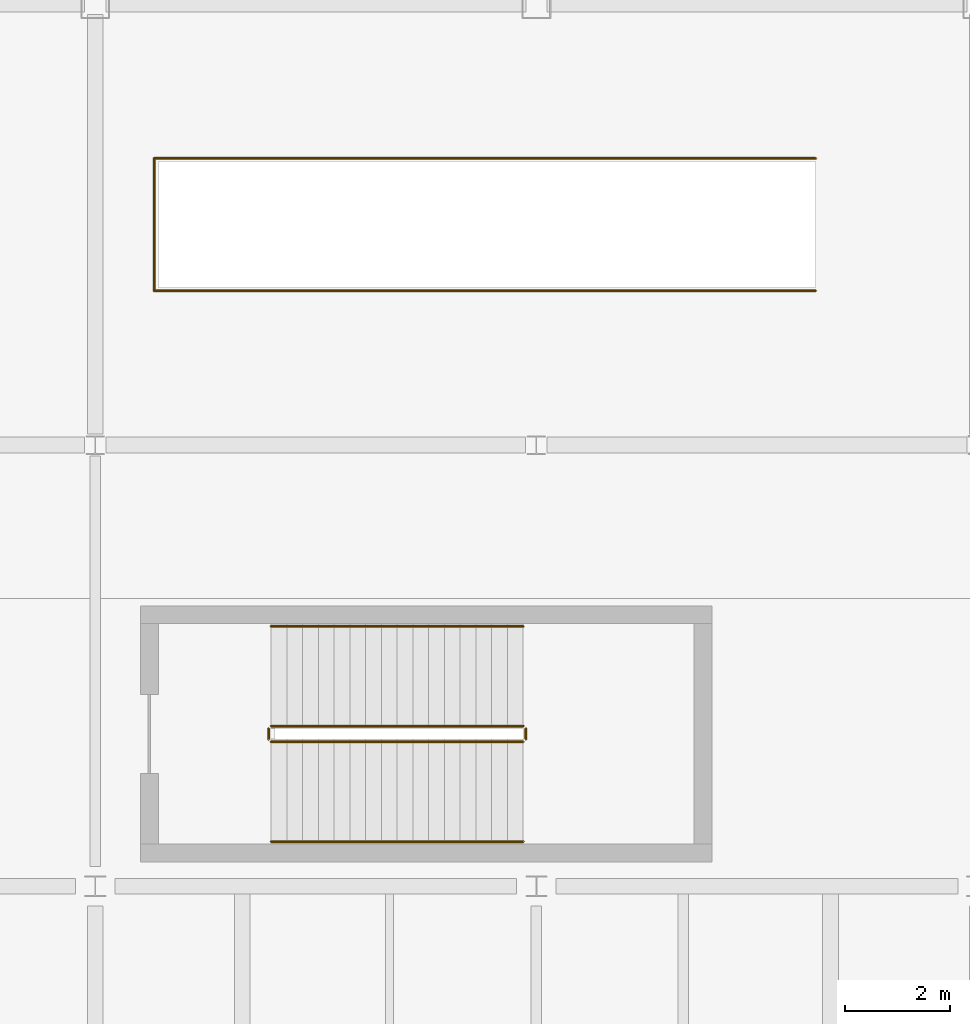
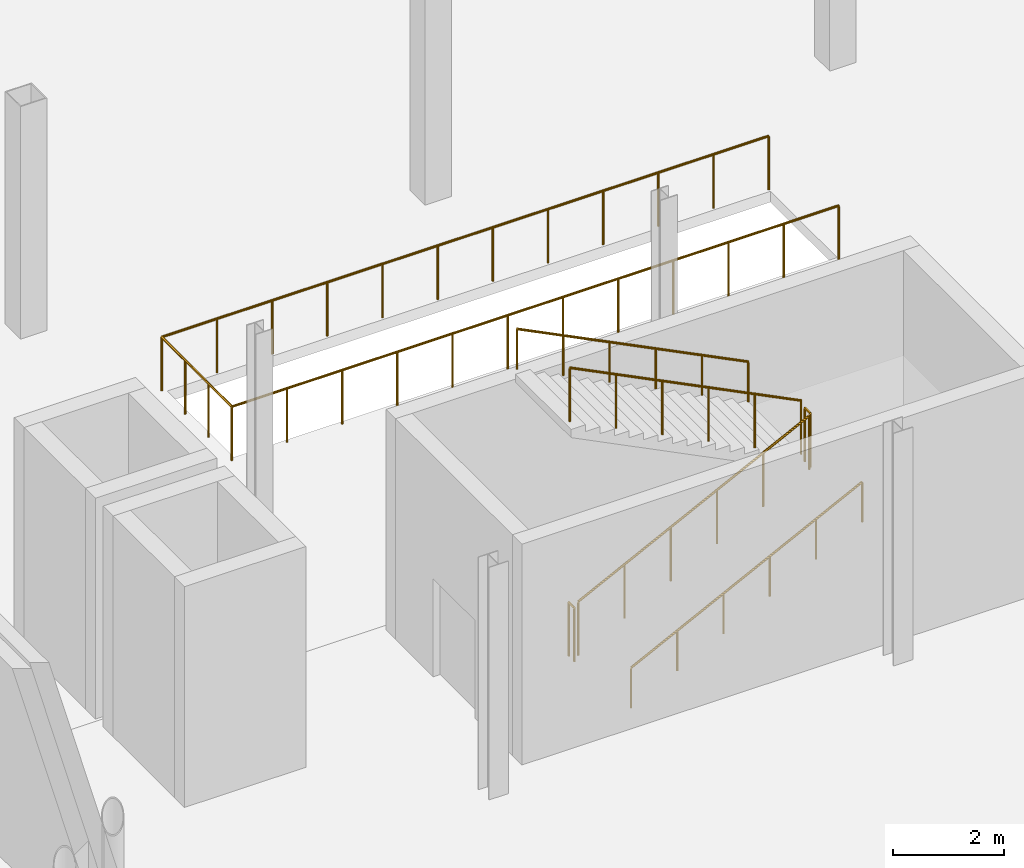
# One storey, part 99 of 104: 7 railings.
"""IFC4 building model written with IfcOpenShell, lengths in metres."""

from ifc_helpers import new_model, si_unit, direction, frame, origin, origin_2d, place, context, subcontext, project, spatial, circle, extrude, material, type_object, element, save


model = new_model("IFC4")

# Units and contexts
model_context = context("Model", 3, precision=1e-05, world=origin(), true_north=direction((0.0, 1.0)))
body_context = subcontext(model_context, "Body", "Model", "MODEL_VIEW")
ifc_project = project(units=[si_unit("LENGTHUNIT", "METRE"), si_unit("AREAUNIT", "SQUARE_METRE"), si_unit("VOLUMEUNIT", "CUBIC_METRE"), si_unit("PLANEANGLEUNIT", "RADIAN"), si_unit("MASSUNIT", "GRAM", prefix="KILO"), si_unit("THERMODYNAMICTEMPERATUREUNIT", "KELVIN")], contexts=[model_context])

# Site, building, storey
site_placement = place(None, origin())
site = spatial("IfcSite", under=ifc_project, at=site_placement, CompositionType="ELEMENT")
building_placement = place(site_placement, origin())
building = spatial("IfcBuilding", under=site, at=building_placement, Name="Lustrewick Department Store", CompositionType="ELEMENT")
storey_placement = place(building_placement, frame((0.0, 0.0, 11.39990234375)))
storey = spatial("IfcBuildingStorey", under=building, at=storey_placement, Name="L03", CompositionType="ELEMENT", Elevation=11.39990234375)

# Railings
ifc_material_1 = material(Name="Laminated safety glass and bronze atrium balustrade", Category="glass")
railing_type_1 = type_object("IfcRailingType", Name="RL-BAL", PredefinedType="BALUSTRADE", material=ifc_material_1)
railing_1_placement = place(storey_placement, frame((131.320068359375, 86.93994140625, 0.0)))
element("IfcRailing", 1, at=railing_1_placement, inside=storey, type_object=railing_type_1, Name="L03 Feature Stair AST02 Well Balustrade", PredefinedType="BALUSTRADE", context=body_context, shape_type="SweptSolid", body=[
    extrude(circle(Radius=0.02392578125, at=origin_2d()), frame((0.0, 0.0, 1.17578125), z_axis=(-1.0, 0.0, 0.0), x_axis=(0.0, -1.0, 0.0)), (0.0, 0.0, 1.0), 12.60009765625),
    extrude(circle(Radius=0.02392578125, at=origin_2d()), frame((-12.60009765625, 0.0, 1.17578125), z_axis=(0.0, 1.0, 0.0), x_axis=(-1.0, 0.0, 0.0)), (0.0, 0.0, 1.0), 2.52001953125),
    extrude(circle(Radius=0.02392578125, at=origin_2d()), frame((-12.60009765625, 2.52001953125, 1.17578125), z_axis=(1.0, 0.0, 0.0), x_axis=(0.0, 1.0, 0.0)), (0.0, 0.0, 1.0), 12.60009765625),
    extrude(circle(Radius=0.02099609375, at=origin_2d()), origin(), (0.0, 0.0, 1.0), 1.15185546875),
    extrude(circle(Radius=0.02099609375, at=origin_2d()), frame((-1.1455078125, 0.0, 0.0)), (0.0, 0.0, 1.0), 1.15185546875),
    extrude(circle(Radius=0.02099609375, at=origin_2d()), frame((-2.291015625, 0.0, 0.0)), (0.0, 0.0, 1.0), 1.15185546875),
    extrude(circle(Radius=0.02099609375, at=origin_2d()), frame((-3.436279296875, 0.0, 0.0)), (0.0, 0.0, 1.0), 1.15185546875),
    extrude(circle(Radius=0.02099609375, at=origin_2d()), frame((-4.581787109375, 0.0, 0.0)), (0.0, 0.0, 1.0), 1.15185546875),
    extrude(circle(Radius=0.02099609375, at=origin_2d()), frame((-5.727294921875, 0.0, 0.0)), (0.0, 0.0, 1.0), 1.15185546875),
    extrude(circle(Radius=0.02099609375, at=origin_2d()), frame((-6.872802734375, 0.0, 0.0)), (0.0, 0.0, 1.0), 1.15185546875),
    extrude(circle(Radius=0.02099609375, at=origin_2d()), frame((-8.018310546875, 0.0, 0.0)), (0.0, 0.0, 1.0), 1.15185546875),
    extrude(circle(Radius=0.02099609375, at=origin_2d()), frame((-9.163818359375, 0.0, 0.0)), (0.0, 0.0, 1.0), 1.15185546875),
    extrude(circle(Radius=0.02099609375, at=origin_2d()), frame((-10.30908203125, 0.0, 0.0)), (0.0, 0.0, 1.0), 1.15185546875),
    extrude(circle(Radius=0.02099609375, at=origin_2d()), frame((-11.45458984375, 0.0, 0.0)), (0.0, 0.0, 1.0), 1.15185546875),
    extrude(circle(Radius=0.02099609375, at=origin_2d()), frame((-12.60009765625, 0.0, 0.0)), (0.0, 0.0, 1.0), 1.15185546875),
    extrude(circle(Radius=0.02099609375, at=origin_2d()), frame((-12.60009765625, 0.840087890625, 0.0)), (0.0, 0.0, 1.0), 1.15185546875),
    extrude(circle(Radius=0.02099609375, at=origin_2d()), frame((-12.60009765625, 1.679931640625, 0.0)), (0.0, 0.0, 1.0), 1.15185546875),
    extrude(circle(Radius=0.02099609375, at=origin_2d()), frame((-12.60009765625, 2.52001953125, 0.0)), (0.0, 0.0, 1.0), 1.15185546875),
    extrude(circle(Radius=0.02099609375, at=origin_2d()), frame((-11.45458984375, 2.52001953125, 0.0)), (0.0, 0.0, 1.0), 1.15185546875),
    extrude(circle(Radius=0.02099609375, at=origin_2d()), frame((-10.30908203125, 2.52001953125, 0.0)), (0.0, 0.0, 1.0), 1.15185546875),
    extrude(circle(Radius=0.02099609375, at=origin_2d()), frame((-9.163818359375, 2.52001953125, 0.0)), (0.0, 0.0, 1.0), 1.15185546875),
    extrude(circle(Radius=0.02099609375, at=origin_2d()), frame((-8.018310546875, 2.52001953125, 0.0)), (0.0, 0.0, 1.0), 1.15185546875),
    extrude(circle(Radius=0.02099609375, at=origin_2d()), frame((-6.872802734375, 2.52001953125, 0.0)), (0.0, 0.0, 1.0), 1.15185546875),
    extrude(circle(Radius=0.02099609375, at=origin_2d()), frame((-5.727294921875, 2.52001953125, 0.0)), (0.0, 0.0, 1.0), 1.15185546875),
    extrude(circle(Radius=0.02099609375, at=origin_2d()), frame((-4.581787109375, 2.52001953125, 0.0)), (0.0, 0.0, 1.0), 1.15185546875),
    extrude(circle(Radius=0.02099609375, at=origin_2d()), frame((-3.436279296875, 2.52001953125, 0.0)), (0.0, 0.0, 1.0), 1.15185546875),
    extrude(circle(Radius=0.02099609375, at=origin_2d()), frame((-2.291015625, 2.52001953125, 0.0)), (0.0, 0.0, 1.0), 1.15185546875),
    extrude(circle(Radius=0.02099609375, at=origin_2d()), frame((-1.1455078125, 2.52001953125, 0.0)), (0.0, 0.0, 1.0), 1.15185546875),
    extrude(circle(Radius=0.02099609375, at=origin_2d()), frame((0.0, 2.52001953125, 0.0)), (0.0, 0.0, 1.0), 1.15185546875),
])
ifc_material_2 = material(Name="Painted tubular steel stairwell guardrail", Category="steel")
railing_type_2 = type_object("IfcRailingType", Name="RL-STG", PredefinedType="GUARDRAIL", material=ifc_material_2)
railing_2_placement = place(storey_placement, frame((120.949951171875, 78.35009765625, 0.150146484375)))
element("IfcRailing", 2, at=railing_2_placement, inside=storey, type_object=railing_type_2, Name="L03 ST10 Stair Guard 1", PredefinedType="GUARDRAIL", context=body_context, shape_type="SweptSolid", body=[
    extrude(circle(Radius=0.02392578125, at=origin_2d()), frame((0.0, 0.0, 1.17578125), z_axis=(0.894436289399, 0.0, 0.44719539824), x_axis=(0.0, 1.0, 0.0)), (0.0, 0.0, 1.0), 5.366455078125),
    extrude(circle(Radius=0.02099609375, at=origin_2d()), origin(), (0.0, 0.0, 1.0), 1.15185546875),
    extrude(circle(Radius=0.02099609375, at=origin_2d()), frame((0.9599609375, 0.0, 0.47998046875)), (0.0, 0.0, 1.0), 1.15185546875),
    extrude(circle(Radius=0.02099609375, at=origin_2d()), frame((1.919921875, 0.0, 0.9599609375)), (0.0, 0.0, 1.0), 1.15185546875),
    extrude(circle(Radius=0.02099609375, at=origin_2d()), frame((2.880126953125, 0.0, 1.43994140625)), (0.0, 0.0, 1.0), 1.15185546875),
    extrude(circle(Radius=0.02099609375, at=origin_2d()), frame((3.840087890625, 0.0, 1.919921875)), (0.0, 0.0, 1.0), 1.15185546875),
    extrude(circle(Radius=0.02099609375, at=origin_2d()), frame((4.800048828125, 0.0, 2.39990234375)), (0.0, 0.0, 1.0), 1.15185546875),
])
railing_3_placement = place(storey_placement, frame((125.800048828125, 78.39990234375, 2.550048828125)))
element("IfcRailing", 3, at=railing_3_placement, inside=storey, type_object=railing_type_2, Name="L03 ST10 Stair Guard 2", PredefinedType="GUARDRAIL", context=body_context, shape_type="SweptSolid", body=[
    extrude(circle(Radius=0.02392578125, at=origin_2d()), frame((0.0, 0.0, 1.17578125), z_axis=(0.0, 1.0, 0.0), x_axis=(-1.0, 0.0, 0.0)), (0.0, 0.0, 1.0), 0.2001953125),
    extrude(circle(Radius=0.02099609375, at=origin_2d()), origin(), (0.0, 0.0, 1.0), 1.15185546875),
    extrude(circle(Radius=0.02099609375, at=origin_2d()), frame((0.0, 0.2001953125, 0.0)), (0.0, 0.0, 1.0), 1.15185546875),
])
railing_4_placement = place(storey_placement, frame((125.75, 78.64990234375, 2.7001953125)))
element("IfcRailing", 4, at=railing_4_placement, inside=storey, type_object=railing_type_2, Name="L03 ST10 Stair Guard 3", PredefinedType="GUARDRAIL", context=body_context, shape_type="SweptSolid", body=[
    extrude(circle(Radius=0.02392578125, at=origin_2d()), frame((0.0, 0.0, 1.17578125), z_axis=(-0.894436289399, 0.0, 0.44719539824), x_axis=(0.0, -1.0, 0.0)), (0.0, 0.0, 1.0), 5.366455078125),
    extrude(circle(Radius=0.02099609375, at=origin_2d()), origin(), (0.0, 0.0, 1.0), 1.15185546875),
    extrude(circle(Radius=0.02099609375, at=origin_2d()), frame((-0.9599609375, 0.0, 0.47998046875)), (0.0, 0.0, 1.0), 1.15185546875),
    extrude(circle(Radius=0.02099609375, at=origin_2d()), frame((-1.919921875, 0.0, 0.9599609375)), (0.0, 0.0, 1.0), 1.15185546875),
    extrude(circle(Radius=0.02099609375, at=origin_2d()), frame((-2.880126953125, 0.0, 1.43994140625)), (0.0, 0.0, 1.0), 1.15185546875),
    extrude(circle(Radius=0.02099609375, at=origin_2d()), frame((-3.840087890625, 0.0, 1.919921875)), (0.0, 0.0, 1.0), 1.15185546875),
    extrude(circle(Radius=0.02099609375, at=origin_2d()), frame((-4.800048828125, 0.0, 2.39990234375)), (0.0, 0.0, 1.0), 1.15185546875),
])
railing_5_placement = place(storey_placement, frame((120.89990234375, 78.39990234375, 0.0)))
element("IfcRailing", 5, at=railing_5_placement, inside=storey, type_object=railing_type_2, Name="L03 ST10 Stair Guard 4", PredefinedType="GUARDRAIL", context=body_context, shape_type="SweptSolid", body=[
    extrude(circle(Radius=0.02392578125, at=origin_2d()), frame((0.0, 0.0, 1.17578125), z_axis=(0.0, 1.0, 0.0), x_axis=(-1.0, 0.0, 0.0)), (0.0, 0.0, 1.0), 0.2001953125),
    extrude(circle(Radius=0.02099609375, at=origin_2d()), origin(), (0.0, 0.0, 1.0), 1.15185546875),
    extrude(circle(Radius=0.02099609375, at=origin_2d()), frame((0.0, 0.2001953125, 0.0)), (0.0, 0.0, 1.0), 1.15185546875),
])
ifc_material_3 = material(Name="Brushed stainless steel wall handrail", Category="steel")
railing_type_3 = type_object("IfcRailingType", Name="RL-STH", PredefinedType="HANDRAIL", material=ifc_material_3)
railing_6_placement = place(storey_placement, frame((120.949951171875, 76.449951171875, 0.150146484375)))
element("IfcRailing", 6, at=railing_6_placement, inside=storey, type_object=railing_type_3, Name="L03 ST10 Stair Handrail 1", PredefinedType="HANDRAIL", context=body_context, shape_type="SweptSolid", body=[
    extrude(circle(Radius=0.02392578125, at=origin_2d()), frame((0.0, 0.0, 0.8759765625), z_axis=(0.894436289399, 0.0, 0.44719539824), x_axis=(0.0, 1.0, 0.0)), (0.0, 0.0, 1.0), 5.366455078125),
    extrude(circle(Radius=0.02099609375, at=origin_2d()), origin(), (0.0, 0.0, 1.0), 0.851806640625),
    extrude(circle(Radius=0.02099609375, at=origin_2d()), frame((0.9599609375, 0.0, 0.47998046875)), (0.0, 0.0, 1.0), 0.851806640625),
    extrude(circle(Radius=0.02099609375, at=origin_2d()), frame((1.919921875, 0.0, 0.9599609375)), (0.0, 0.0, 1.0), 0.851806640625),
    extrude(circle(Radius=0.02099609375, at=origin_2d()), frame((2.880126953125, 0.0, 1.43994140625)), (0.0, 0.0, 1.0), 0.851806640625),
    extrude(circle(Radius=0.02099609375, at=origin_2d()), frame((3.840087890625, 0.0, 1.919921875)), (0.0, 0.0, 1.0), 0.851806640625),
    extrude(circle(Radius=0.02099609375, at=origin_2d()), frame((4.800048828125, 0.0, 2.39990234375)), (0.0, 0.0, 1.0), 0.851806640625),
])
railing_7_placement = place(storey_placement, frame((125.75, 80.550048828125, 2.7001953125)))
element("IfcRailing", 7, at=railing_7_placement, inside=storey, type_object=railing_type_3, Name="L03 ST10 Stair Handrail 2", PredefinedType="HANDRAIL", context=body_context, shape_type="SweptSolid", body=[
    extrude(circle(Radius=0.02392578125, at=origin_2d()), frame((0.0, 0.0, 0.8759765625), z_axis=(-0.894436289399, 0.0, 0.44719539824), x_axis=(0.0, -1.0, 0.0)), (0.0, 0.0, 1.0), 5.366455078125),
    extrude(circle(Radius=0.02099609375, at=origin_2d()), origin(), (0.0, 0.0, 1.0), 0.851806640625),
    extrude(circle(Radius=0.02099609375, at=origin_2d()), frame((-0.9599609375, 0.0, 0.47998046875)), (0.0, 0.0, 1.0), 0.851806640625),
    extrude(circle(Radius=0.02099609375, at=origin_2d()), frame((-1.919921875, 0.0, 0.9599609375)), (0.0, 0.0, 1.0), 0.851806640625),
    extrude(circle(Radius=0.02099609375, at=origin_2d()), frame((-2.880126953125, 0.0, 1.43994140625)), (0.0, 0.0, 1.0), 0.851806640625),
    extrude(circle(Radius=0.02099609375, at=origin_2d()), frame((-3.840087890625, 0.0, 1.919921875)), (0.0, 0.0, 1.0), 0.851806640625),
    extrude(circle(Radius=0.02099609375, at=origin_2d()), frame((-4.800048828125, 0.0, 2.39990234375)), (0.0, 0.0, 1.0), 0.851806640625),
])

save(model, "model.ifc")
